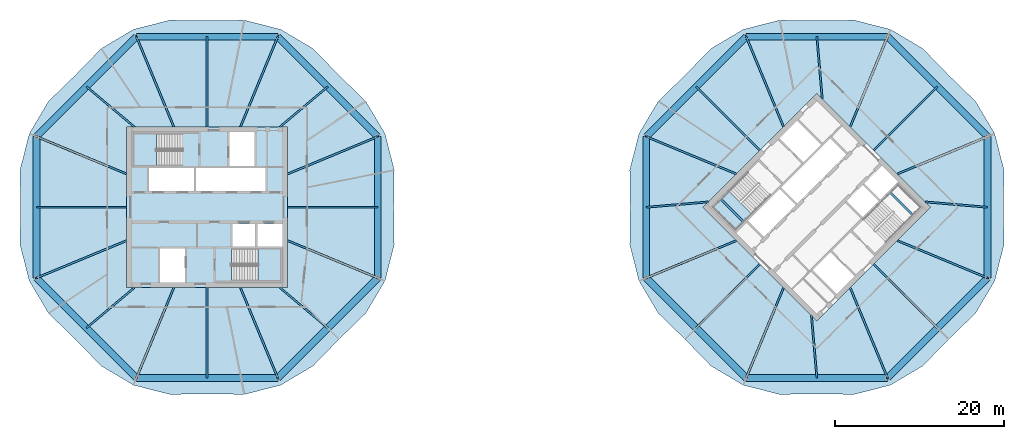
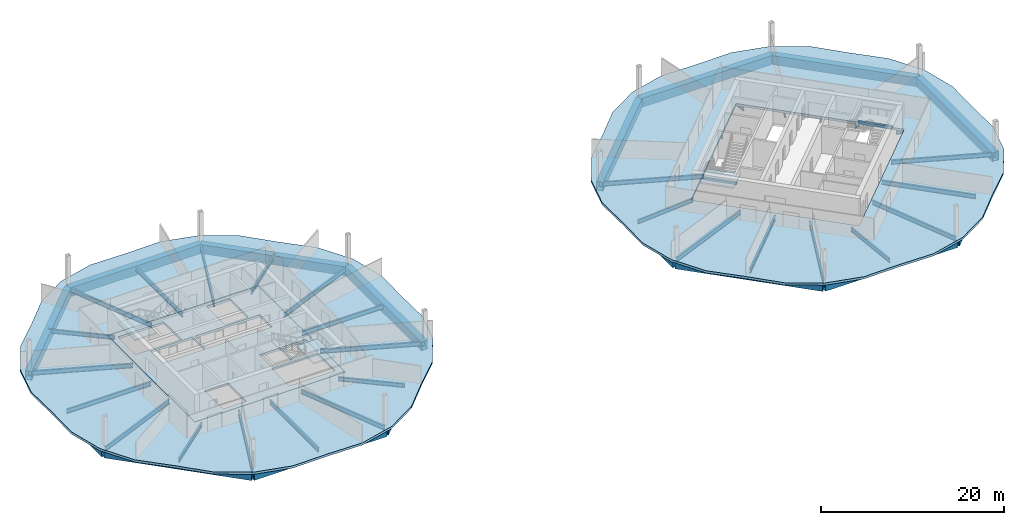
# One storey, part 3 of 10: 50 beams, 6 slabs, 3 elements without a shape of their own.
"""IFC4 building model written with IfcOpenShell, lengths in metres."""

import ifcopenshell
import ifcopenshell.guid

model = None  # the IFC model being written
_history = None  # IfcOwnerHistory: only IFC2X3 demands one
_inside = {}  # id of a spatial element -> (the spatial element, [elements in it])
_under = {}  # id of a project, library or spatial element -> (it, [spatial elements below it])
_declared = {}  # id of a project -> (the project, [libraries it declares])
_typed = {}  # id of a type object -> (the type object, [elements of that type])
_made_of = {}  # id of a material, layer set ... -> (it, [elements and type objects made of it])


def new_model(schema):
    """Start an empty IFC model of exactly this schema.

    Asked for "IFC4X3", IfcOpenShell would pick the latest addendum, in which some entities
    have other attributes; the version numbers below select the first issue.
    IFC2X3 requires an IfcOwnerHistory on every rooted entity: one is made here for all.
    """
    global model, _history
    if schema == "IFC4X3":
        model = ifcopenshell.file(schema_version=(4, 3, 0, 0))
    else:
        model = ifcopenshell.file(schema=schema)
    _inside.clear()
    _under.clear()
    _declared.clear()
    _typed.clear()
    _made_of.clear()
    _history = None
    if model.schema == "IFC2X3":
        org = make("IfcOrganization", Name="unknown")
        user = make(
            "IfcPersonAndOrganization",
            ThePerson=make("IfcPerson", FamilyName="unknown"),
            TheOrganization=org,
        )
        app = make(
            "IfcApplication",
            ApplicationDeveloper=org,
            Version="unknown",
            ApplicationFullName="unknown",
            ApplicationIdentifier="unknown",
        )
        _history = make(
            "IfcOwnerHistory",
            OwningUser=user,
            OwningApplication=app,
            ChangeAction="ADDED",
            CreationDate=0,
        )
    return model


def make(cls, **values):
    """One entity of the class cls with the attributes given. An attribute that is None is left unset."""
    return model.create_entity(
        cls, **{name: value for name, value in values.items() if value is not None}
    )


def rooted(cls, **values):
    """An entity with a GlobalId (a new one), such as an element, a storey or a relation."""
    return make(cls, GlobalId=ifcopenshell.guid.new(), OwnerHistory=_history, **values)


def si_unit(unit_type, name, prefix=None):
    """IfcSIUnit, for example si_unit("LENGTHUNIT", "METRE", prefix="MILLI")."""
    return make("IfcSIUnit", UnitType=unit_type, Prefix=prefix, Name=name)


def assignment(units):
    """IfcUnitAssignment: the units of a project."""
    return None if units is None else make("IfcUnitAssignment", Units=units)


def point(xyz):
    """IfcCartesianPoint."""
    return None if xyz is None else make("IfcCartesianPoint", Coordinates=xyz)


def direction(xyz):
    """IfcDirection."""
    return None if xyz is None else make("IfcDirection", DirectionRatios=xyz)


def frame(location, z_axis=None, x_axis=None):
    """IfcAxis2Placement3D, a coordinate frame: its origin and axes. An axis left out is left unset."""
    return make(
        "IfcAxis2Placement3D",
        Location=point(location),
        Axis=direction(z_axis),
        RefDirection=direction(x_axis),
    )


def frame_2d(location, x_axis=None):
    """IfcAxis2Placement2D, a coordinate frame in the plane: its origin and x axis."""
    return make(
        "IfcAxis2Placement2D", Location=point(location), RefDirection=direction(x_axis)
    )


def origin():
    """The frame at (0, 0, 0) with its axes left unset."""
    return frame((0.0, 0.0, 0.0))


def origin_2d():
    """The frame at (0, 0) in the plane with its x axis left unset."""
    return frame_2d((0.0, 0.0))


def place(relative_to, where):
    """IfcLocalPlacement: puts the frame where relative to a parent placement (None: the world)."""
    return make(
        "IfcLocalPlacement", PlacementRelTo=relative_to, RelativePlacement=where
    )


def context(
    kind, dimensions, precision=None, world=None, true_north=None, identifier=None
):
    """IfcGeometricRepresentationContext, for example the 3D "Model" context."""
    return make(
        "IfcGeometricRepresentationContext",
        ContextIdentifier=identifier,
        ContextType=kind,
        CoordinateSpaceDimension=dimensions,
        Precision=precision,
        WorldCoordinateSystem=world,
        TrueNorth=true_north,
    )


def subcontext(parent, identifier, kind, view, scale=None):
    """IfcGeometricRepresentationSubContext, for example "Body" below "Model"."""
    return make(
        "IfcGeometricRepresentationSubContext",
        ContextIdentifier=identifier,
        ContextType=kind,
        ParentContext=parent,
        TargetScale=scale,
        TargetView=view,
    )


def project(units=None, contexts=None):
    """IfcProject with its units and contexts."""
    return rooted(
        "IfcProject",
        Name="project",
        RepresentationContexts=contexts,
        UnitsInContext=assignment(units),
    )


def spatial(cls, under=None, at=None, **own):
    """A site, building, storey or space (cls), placed at a placement, below another one or the project."""
    s = rooted(cls, ObjectPlacement=at, **own)
    if under is not None:
        _under.setdefault(under.id(), (under, []))[1].append(s)
    return s


def polyline(points):
    """IfcPolyline through the points."""
    return make("IfcPolyline", Points=[point(p) for p in points])


def profile(cls, at=None, kind="AREA", **sizes):
    """A parametric profile (cls). Its sizes go by their IFC names, for example OverallWidth=200.0."""
    return make(cls, ProfileType=kind, Position=at, **sizes)


def rectangle(**sizes):
    """IfcRectangleProfileDef."""
    return profile("IfcRectangleProfileDef", **sizes)


def hollow_rectangle(**sizes):
    """IfcRectangleHollowProfileDef."""
    return profile("IfcRectangleHollowProfileDef", **sizes)


def i_section(**sizes):
    """IfcIShapeProfileDef."""
    return profile("IfcIShapeProfileDef", **sizes)


def outline(outer, holes=None, kind="AREA"):
    """IfcArbitraryClosedProfileDef: a profile drawn as a closed curve; with holes, ...WithVoids."""
    if holes is None:
        return make("IfcArbitraryClosedProfileDef", ProfileType=kind, OuterCurve=outer)
    return make(
        "IfcArbitraryProfileDefWithVoids",
        ProfileType=kind,
        OuterCurve=outer,
        InnerCurves=holes,
    )


def extrude(swept, where, along, depth):
    """IfcExtrudedAreaSolid: the profile swept, set in the frame where, extruded along a direction by depth."""
    return make(
        "IfcExtrudedAreaSolid",
        SweptArea=swept,
        Position=where,
        ExtrudedDirection=direction(along),
        Depth=depth,
    )


def shape(context_of_items, identifier, shape_type, items):
    """IfcShapeRepresentation: the items that make up one representation, for example the "Body"."""
    return make(
        "IfcShapeRepresentation",
        ContextOfItems=context_of_items,
        RepresentationIdentifier=identifier,
        RepresentationType=shape_type,
        Items=items,
    )


def material(Name=None, Category=None):
    """IfcMaterial."""
    return make("IfcMaterial", Name=Name, Category=Category)


def layer(
    of_material, thickness, ventilated=None, Name=None, Category=None, Priority=None
):
    """IfcMaterialLayer: one layer of a wall or slab, of a material (None: an air gap)."""
    return make(
        "IfcMaterialLayer",
        Material=of_material,
        LayerThickness=thickness,
        IsVentilated=ventilated,
        Name=Name,
        Category=Category,
        Priority=Priority,
    )


def layer_set(layers, Name=None):
    """IfcMaterialLayerSet."""
    return make("IfcMaterialLayerSet", MaterialLayers=layers, LayerSetName=Name)


def material_profile(
    of_material, cross_section, Name=None, Category=None, Priority=None
):
    """IfcMaterialProfile: a cross section and its material."""
    return make(
        "IfcMaterialProfile",
        Name=Name,
        Material=of_material,
        Profile=cross_section,
        Priority=Priority,
        Category=Category,
    )


def profile_set(profiles, Name=None, composite=None):
    """IfcMaterialProfileSet."""
    return make(
        "IfcMaterialProfileSet",
        Name=Name,
        MaterialProfiles=profiles,
        CompositeProfile=composite,
    )


def made_of(thing, what):
    """Note that an element or type object is made of a material, layer set ...; save() writes the relation."""
    if what is not None:
        _made_of.setdefault(what.id(), (what, []))[1].append(thing)
    return thing


def type_object(cls, material=None, **own):
    """A type object (cls), such as IfcWallType, which elements share."""
    return made_of(rooted(cls, **own), material)


def element(
    cls,
    number,
    at=None,
    inside=None,
    cuts=None,
    type_object=None,
    material=None,
    context=None,
    identifier="Body",
    shape_type=None,
    held_by="IfcProductDefinitionShape",
    body=None,
    shapes=None,
    **own,
):
    """One element of the class cls, such as IfcWall. Its Tag is "e" and its number.

    at: its placement. inside: the storey or other place that contains it. cuts: it is an
    opening in that element (IfcRelVoidsElement). A single representation is given by context,
    identifier, shape_type and body (its items); several are given by shapes. held_by: the class
    of the entity that holds the representations. save() writes the other relations.
    """
    e = rooted(cls, Tag="e%d" % number, ObjectPlacement=at, **own)
    if body is not None:
        shapes = [shape(context, identifier, shape_type, body)]
    if shapes is not None:
        e.Representation = make(held_by, Representations=shapes)
    if inside is not None:
        _inside.setdefault(inside.id(), (inside, []))[1].append(e)
    if cuts is not None:
        rooted(
            "IfcRelVoidsElement", RelatingBuildingElement=cuts, RelatedOpeningElement=e
        )
    if type_object is not None:
        _typed.setdefault(type_object.id(), (type_object, []))[1].append(e)
    return made_of(e, material)


def aggregate(whole, parts):
    """IfcRelAggregates: a whole, such as a stair, and the parts it consists of."""
    return rooted("IfcRelAggregates", RelatingObject=whole, RelatedObjects=parts)


def save(model, path):
    """Write the relations noted so far, then the file.

    IfcRelAggregates (storeys below a building ...), IfcRelContainedInSpatialStructure (elements
    in a storey), IfcRelDefinesByType, IfcRelAssociatesMaterial and IfcRelDeclares: one each for
    every whole, place, type object, material and project.
    """
    for whole, parts in _under.values():
        aggregate(whole, parts)
    for where, things in _inside.values():
        rooted(
            "IfcRelContainedInSpatialStructure",
            RelatedElements=things,
            RelatingStructure=where,
        )
    for kind, things in _typed.values():
        rooted("IfcRelDefinesByType", RelatedObjects=things, RelatingType=kind)
    for what, things in _made_of.values():
        rooted("IfcRelAssociatesMaterial", RelatedObjects=things, RelatingMaterial=what)
    for by, libraries in _declared.values():
        rooted("IfcRelDeclares", RelatingContext=by, RelatedDefinitions=libraries)
    model.write(path)


model = new_model("IFC4")

# Units and contexts
model_context = context("Model", 3, precision=1e-05, world=origin(), true_north=direction((0.0, 1.0)))
body_context = subcontext(model_context, "Body", "Model", "MODEL_VIEW")
ifc_project = project(units=[si_unit("LENGTHUNIT", "METRE"), si_unit("AREAUNIT", "SQUARE_METRE"), si_unit("VOLUMEUNIT", "CUBIC_METRE"), si_unit("PLANEANGLEUNIT", "RADIAN"), si_unit("MASSUNIT", "GRAM", prefix="KILO")], contexts=[model_context])

# Site, building, storey
site_placement = place(None, origin())
site = spatial("IfcSite", under=ifc_project, at=site_placement, CompositionType="ELEMENT")
building_placement = place(site_placement, origin())
building = spatial("IfcBuilding", under=site, at=building_placement, Name="Ogive Gate Towers", CompositionType="ELEMENT")
storey_placement = place(building_placement, frame((0.0, 0.0, 169.5)))
storey = spatial("IfcBuildingStorey", under=building, at=storey_placement, Name="L40", CompositionType="ELEMENT", Elevation=169.5)

# Beams
ifc_material_1 = material(Name="Steel SM460", Category="steel")
ifc_material_profile_1 = material_profile(ifc_material_1, hollow_rectangle(XDim=0.800048828125, YDim=1.199951171875, WallThickness=0.050048828125, at=origin_2d()), Name="BX 1200x800x50")
ifc_profile_set_1 = profile_set([ifc_material_profile_1], Name="Steel SM460")
beam_type_1 = type_object("IfcBeamType", Name="Edge girder BX 1200x800x50", PredefinedType="BEAM", material=ifc_profile_set_1)
beam_1_placement = place(storey_placement, frame((-56.14990234375, -8.346435546875, -0.89990234375), z_axis=(0.707106781187, -0.707106781187, 0.0), x_axis=(0.707106781187, 0.707106781187, 0.0)))
element("IfcBeam", 1, at=beam_1_placement, inside=storey, type_object=beam_type_1, Name="T1/L40/SBM017", PredefinedType="BEAM", context=body_context, shape_type="SweptSolid", body=[
    extrude(hollow_rectangle(XDim=0.800048828125, YDim=1.199951171875, WallThickness=0.050048828125, at=origin_2d()), origin(), (0.0, 0.0, 1.0), 16.692626953125),
])
beam_2_placement = place(storey_placement, frame((-44.346435546875, -20.14990234375, -0.89990234375), z_axis=(1.0, 0.0, 0.0), x_axis=(0.0, 1.0, 0.0)))
element("IfcBeam", 2, at=beam_2_placement, inside=storey, type_object=beam_type_1, Name="T1/L40/SBM018", PredefinedType="BEAM", context=body_context, shape_type="SweptSolid", body=[
    extrude(hollow_rectangle(XDim=0.800048828125, YDim=1.199951171875, WallThickness=0.050048828125, at=origin_2d()), origin(), (0.0, 0.0, 1.0), 16.69287109375),
])
beam_3_placement = place(storey_placement, frame((-27.653564453125, -20.14990234375, -0.89990234375), z_axis=(0.707106781187, 0.707106781187, 0.0), x_axis=(-0.707106781187, 0.707106781187, 0.0)))
element("IfcBeam", 3, at=beam_3_placement, inside=storey, type_object=beam_type_1, Name="T1/L40/SBM019", PredefinedType="BEAM", context=body_context, shape_type="SweptSolid", body=[
    extrude(hollow_rectangle(XDim=0.800048828125, YDim=1.199951171875, WallThickness=0.050048828125, at=origin_2d()), origin(), (0.0, 0.0, 1.0), 16.692626953125),
])
beam_4_placement = place(storey_placement, frame((-15.85009765625, -8.346435546875, -0.89990234375), z_axis=(0.0, 1.0, 0.0), x_axis=(-1.0, 0.0, 0.0)))
element("IfcBeam", 4, at=beam_4_placement, inside=storey, type_object=beam_type_1, Name="T1/L40/SBM020", PredefinedType="BEAM", context=body_context, shape_type="SweptSolid", body=[
    extrude(hollow_rectangle(XDim=0.800048828125, YDim=1.199951171875, WallThickness=0.050048828125, at=origin_2d()), origin(), (0.0, 0.0, 1.0), 16.69287109375),
])
beam_5_placement = place(storey_placement, frame((-15.85009765625, 8.346435546875, -0.89990234375), z_axis=(-0.707106781187, 0.707106781187, 0.0), x_axis=(-0.707106781187, -0.707106781187, 0.0)))
element("IfcBeam", 5, at=beam_5_placement, inside=storey, type_object=beam_type_1, Name="T1/L40/SBM021", PredefinedType="BEAM", context=body_context, shape_type="SweptSolid", body=[
    extrude(hollow_rectangle(XDim=0.800048828125, YDim=1.199951171875, WallThickness=0.050048828125, at=origin_2d()), origin(), (0.0, 0.0, 1.0), 16.692626953125),
])
beam_6_placement = place(storey_placement, frame((-27.653564453125, 20.14990234375, -0.89990234375), z_axis=(-1.0, 0.0, 0.0), x_axis=(0.0, -1.0, 0.0)))
element("IfcBeam", 6, at=beam_6_placement, inside=storey, type_object=beam_type_1, Name="T1/L40/SBM022", PredefinedType="BEAM", context=body_context, shape_type="SweptSolid", body=[
    extrude(hollow_rectangle(XDim=0.800048828125, YDim=1.199951171875, WallThickness=0.050048828125, at=origin_2d()), origin(), (0.0, 0.0, 1.0), 16.69287109375),
])
beam_7_placement = place(storey_placement, frame((-44.346435546875, 20.14990234375, -0.89990234375), z_axis=(-0.707106781187, -0.707106781187, 0.0), x_axis=(0.707106781187, -0.707106781187, 0.0)))
element("IfcBeam", 7, at=beam_7_placement, inside=storey, type_object=beam_type_1, Name="T1/L40/SBM023", PredefinedType="BEAM", context=body_context, shape_type="SweptSolid", body=[
    extrude(hollow_rectangle(XDim=0.800048828125, YDim=1.199951171875, WallThickness=0.050048828125, at=origin_2d()), origin(), (0.0, 0.0, 1.0), 16.692626953125),
])
beam_8_placement = place(storey_placement, frame((-56.14990234375, 8.346435546875, -0.89990234375), z_axis=(0.0, -1.0, 0.0), x_axis=(1.0, 0.0, 0.0)))
element("IfcBeam", 8, at=beam_8_placement, inside=storey, type_object=beam_type_1, Name="T1/L40/SBM024", PredefinedType="BEAM", context=body_context, shape_type="SweptSolid", body=[
    extrude(hollow_rectangle(XDim=0.800048828125, YDim=1.199951171875, WallThickness=0.050048828125, at=origin_2d()), origin(), (0.0, 0.0, 1.0), 16.69287109375),
])
beam_9_placement = place(storey_placement, frame((15.85009765625, -8.346435546875, -0.89990234375), z_axis=(0.707106781187, -0.707106781187, 0.0), x_axis=(0.707106781187, 0.707106781187, 0.0)))
element("IfcBeam", 9, at=beam_9_placement, inside=storey, type_object=beam_type_1, Name="T2/L40/SBM017", PredefinedType="BEAM", context=body_context, shape_type="SweptSolid", body=[
    extrude(hollow_rectangle(XDim=0.800048828125, YDim=1.199951171875, WallThickness=0.050048828125, at=origin_2d()), origin(), (0.0, 0.0, 1.0), 16.692626953125),
])
beam_10_placement = place(storey_placement, frame((27.653564453125, -20.14990234375, -0.89990234375), z_axis=(1.0, 0.0, 0.0), x_axis=(0.0, 1.0, 0.0)))
element("IfcBeam", 10, at=beam_10_placement, inside=storey, type_object=beam_type_1, Name="T2/L40/SBM018", PredefinedType="BEAM", context=body_context, shape_type="SweptSolid", body=[
    extrude(hollow_rectangle(XDim=0.800048828125, YDim=1.199951171875, WallThickness=0.050048828125, at=origin_2d()), origin(), (0.0, 0.0, 1.0), 16.69287109375),
])
beam_11_placement = place(storey_placement, frame((44.346435546875, -20.14990234375, -0.89990234375), z_axis=(0.707106781187, 0.707106781187, 0.0), x_axis=(-0.707106781187, 0.707106781187, 0.0)))
element("IfcBeam", 11, at=beam_11_placement, inside=storey, type_object=beam_type_1, Name="T2/L40/SBM019", PredefinedType="BEAM", context=body_context, shape_type="SweptSolid", body=[
    extrude(hollow_rectangle(XDim=0.800048828125, YDim=1.199951171875, WallThickness=0.050048828125, at=origin_2d()), origin(), (0.0, 0.0, 1.0), 16.692626953125),
])
beam_12_placement = place(storey_placement, frame((56.14990234375, -8.346435546875, -0.89990234375), z_axis=(0.0, 1.0, 0.0), x_axis=(-1.0, 0.0, 0.0)))
element("IfcBeam", 12, at=beam_12_placement, inside=storey, type_object=beam_type_1, Name="T2/L40/SBM020", PredefinedType="BEAM", context=body_context, shape_type="SweptSolid", body=[
    extrude(hollow_rectangle(XDim=0.800048828125, YDim=1.199951171875, WallThickness=0.050048828125, at=origin_2d()), origin(), (0.0, 0.0, 1.0), 16.69287109375),
])
beam_13_placement = place(storey_placement, frame((56.14990234375, 8.346435546875, -0.89990234375), z_axis=(-0.707106781187, 0.707106781187, 0.0), x_axis=(-0.707106781187, -0.707106781187, 0.0)))
element("IfcBeam", 13, at=beam_13_placement, inside=storey, type_object=beam_type_1, Name="T2/L40/SBM021", PredefinedType="BEAM", context=body_context, shape_type="SweptSolid", body=[
    extrude(hollow_rectangle(XDim=0.800048828125, YDim=1.199951171875, WallThickness=0.050048828125, at=origin_2d()), origin(), (0.0, 0.0, 1.0), 16.692626953125),
])
beam_14_placement = place(storey_placement, frame((44.346435546875, 20.14990234375, -0.89990234375), z_axis=(-1.0, 0.0, 0.0), x_axis=(0.0, -1.0, 0.0)))
element("IfcBeam", 14, at=beam_14_placement, inside=storey, type_object=beam_type_1, Name="T2/L40/SBM022", PredefinedType="BEAM", context=body_context, shape_type="SweptSolid", body=[
    extrude(hollow_rectangle(XDim=0.800048828125, YDim=1.199951171875, WallThickness=0.050048828125, at=origin_2d()), origin(), (0.0, 0.0, 1.0), 16.69287109375),
])
beam_15_placement = place(storey_placement, frame((27.653564453125, 20.14990234375, -0.89990234375), z_axis=(-0.707106781187, -0.707106781187, 0.0), x_axis=(0.707106781187, -0.707106781187, 0.0)))
element("IfcBeam", 15, at=beam_15_placement, inside=storey, type_object=beam_type_1, Name="T2/L40/SBM023", PredefinedType="BEAM", context=body_context, shape_type="SweptSolid", body=[
    extrude(hollow_rectangle(XDim=0.800048828125, YDim=1.199951171875, WallThickness=0.050048828125, at=origin_2d()), origin(), (0.0, 0.0, 1.0), 16.692626953125),
])
beam_16_placement = place(storey_placement, frame((15.85009765625, 8.346435546875, -0.89990234375), z_axis=(0.0, -1.0, 0.0), x_axis=(1.0, 0.0, 0.0)))
element("IfcBeam", 16, at=beam_16_placement, inside=storey, type_object=beam_type_1, Name="T2/L40/SBM024", PredefinedType="BEAM", context=body_context, shape_type="SweptSolid", body=[
    extrude(hollow_rectangle(XDim=0.800048828125, YDim=1.199951171875, WallThickness=0.050048828125, at=origin_2d()), origin(), (0.0, 0.0, 1.0), 16.69287109375),
])
ifc_material_2 = material(Name="Concrete C40/50", Category="concrete")
ifc_material_profile_2 = material_profile(ifc_material_2, rectangle(XDim=0.25, YDim=0.300048828125, at=origin_2d()), Name="RC 250x300")
ifc_profile_set_2 = profile_set([ifc_material_profile_2], Name="Concrete C40/50")
beam_type_2 = type_object("IfcBeamType", Name="Landing bearer RC 250x300", PredefinedType="BEAM", material=ifc_profile_set_2)
for number, where, z_axis, x_axis, name in (
    (17, (24.650390625, 0.9541015625, 1.60009765625), (0.707106781187, -0.707106781187, 0.0), (0.707106781187, 0.707106781187, 0.0), "T2 L40 stair 1 landing bearer 1"),
    (18, (47.349609375, -0.9541015625, 1.60009765625), (-0.707106781187, 0.707106781187, 0.0), (-0.707106781187, -0.707106781187, 0.0), "T2 L40 stair 2 landing bearer 1"),
):
    element("IfcBeam", number, at=place(storey_placement, frame(where, z_axis=z_axis, x_axis=x_axis)), inside=storey, type_object=beam_type_2, Name=name, PredefinedType="BEAM", context=body_context, shape_type="SweptSolid", body=[
        extrude(rectangle(XDim=0.25, YDim=0.300048828125, at=origin_2d()), origin(), (0.0, 0.0, 1.0), 3.824951171875),
    ])
ifc_material_3 = material(Name="Steel SM355", Category="steel")
ifc_material_profile_3 = material_profile(ifc_material_3, i_section(OverallWidth=0.2099609375, OverallDepth=0.550048828125, WebThickness=0.010986328125, FlangeThickness=0.01708984375, FilletRadius=0.02392578125, at=origin_2d()), Name="IPE 550")
ifc_profile_set_3 = profile_set([ifc_material_profile_3], Name="Steel SM355")
beam_type_3 = type_object("IfcBeamType", Name="Radial floor beam IPE 550", PredefinedType="BEAM", material=ifc_profile_set_3)
for number, where, z_axis, x_axis, name in (
    (19, (-44.60009765625, -9.5, -0.574951171875), (-0.76545320234, -0.643491565622, 0.0), (0.643491565622, -0.76545320234, 0.0), "T1/L40/SBM002"),
    (20, (-27.39990234375, -9.5, -0.574951171875), (0.76545320234, -0.643491565622, 0.0), (0.643491565622, 0.76545320234, 0.0), "T1/L40/SBM006"),
    (21, (-27.39990234375, 9.5, -0.574951171875), (0.76545320234, 0.643491565622, 0.0), (-0.643491565622, 0.76545320234, 0.0), "T1/L40/SBM010"),
    (22, (-44.60009765625, 9.5, -0.574951171875), (-0.76545320234, 0.643491565622, 0.0), (-0.643491565622, -0.76545320234, 0.0), "T1/L40/SBM014"),
):
    element("IfcBeam", number, at=place(storey_placement, frame(where, z_axis=z_axis, x_axis=x_axis)), inside=storey, type_object=beam_type_3, Name=name, PredefinedType="BEAM", context=body_context, shape_type="SweptSolid", body=[
        extrude(i_section(OverallWidth=0.2099609375, OverallDepth=0.550048828125, WebThickness=0.010986328125, FlangeThickness=0.01708984375, FilletRadius=0.02392578125, at=origin_2d()), origin(), (0.0, 0.0, 1.0), 7.378662109375),
    ])
for number, where, z_axis, x_axis, name in (
    (23, (35.363525390625, -12.798583984375, -0.574951171875), (0.086256966176, -0.996272922339, 0.0), (0.996272922339, 0.086256966176, 0.0), "T2/L40/SBM004"),
    (24, (48.798583984375, 0.636474609375, -0.574951171875), (0.996272922339, -0.086256966176, 0.0), (0.086256966176, 0.996272922339, 0.0), "T2/L40/SBM008"),
    (25, (36.636474609375, 12.798583984375, -0.574951171875), (-0.086256966176, 0.996272922339, 0.0), (-0.996272922339, -0.086256966176, 0.0), "T2/L40/SBM012"),
    (26, (23.201416015625, 0.636474609375, -0.574951171875), (-0.996272922339, -0.086256966176, 0.0), (0.086256966176, -0.996272922339, 0.0), "T2/L40/SBM016"),
):
    element("IfcBeam", number, at=place(storey_placement, frame(where, z_axis=z_axis, x_axis=x_axis)), inside=storey, type_object=beam_type_3, Name=name, PredefinedType="BEAM", context=body_context, shape_type="SweptSolid", body=[
        extrude(i_section(OverallWidth=0.2099609375, OverallDepth=0.550048828125, WebThickness=0.010986328125, FlangeThickness=0.01708984375, FilletRadius=0.02392578125, at=origin_2d()), origin(), (0.0, 0.0, 1.0), 7.37890625),
    ])
ifc_material_profile_4 = material_profile(ifc_material_3, i_section(OverallWidth=0.219970703125, OverallDepth=0.60009765625, WebThickness=0.011962890625, FlangeThickness=0.01904296875, FilletRadius=0.02392578125, at=origin_2d()), Name="IPE 600")
ifc_profile_set_4 = profile_set([ifc_material_profile_4], Name="Steel SM355")
beam_type_4 = type_object("IfcBeamType", Name="Radial floor beam IPE 600", PredefinedType="BEAM", material=ifc_profile_set_4)
for number, where, z_axis, x_axis, name in (
    (27, (-45.5, -3.93505859375, -0.60009765625), (-0.923878214756, -0.382686613691, 0.0), (0.382686613691, -0.923878214756, 0.0), "T1/L40/SBM001"),
    (28, (-39.93505859375, -9.5, -0.60009765625), (-0.382686613691, -0.923878214756, 0.0), (0.923878214756, -0.382686613691, 0.0), "T1/L40/SBM003"),
):
    element("IfcBeam", number, at=place(storey_placement, frame(where, z_axis=z_axis, x_axis=x_axis)), inside=storey, type_object=beam_type_4, Name=name, PredefinedType="BEAM", context=body_context, shape_type="SweptSolid", body=[
        extrude(i_section(OverallWidth=0.219970703125, OverallDepth=0.60009765625, WebThickness=0.011962890625, FlangeThickness=0.01904296875, FilletRadius=0.02392578125, at=origin_2d()), origin(), (0.0, 0.0, 1.0), 11.52734375),
    ])
beam_17_placement = place(storey_placement, frame((-36.0, -9.5, -0.60009765625), z_axis=(0.0, -1.0, 0.0), x_axis=(1.0, 0.0, 0.0)))
element("IfcBeam", 29, at=beam_17_placement, inside=storey, type_object=beam_type_4, Name="T1/L40/SBM004", PredefinedType="BEAM", context=body_context, shape_type="SweptSolid", body=[
    extrude(i_section(OverallWidth=0.219970703125, OverallDepth=0.60009765625, WebThickness=0.011962890625, FlangeThickness=0.01904296875, FilletRadius=0.02392578125, at=origin_2d()), origin(), (0.0, 0.0, 1.0), 10.64990234375),
])
for number, where, z_axis, x_axis, name in (
    (30, (-32.06494140625, -9.5, -0.60009765625), (0.382686613691, -0.923878214756, 0.0), (0.923878214756, 0.382686613691, 0.0), "T1/L40/SBM005"),
    (31, (-26.5, -3.93505859375, -0.60009765625), (0.923878214756, -0.382686613691, 0.0), (0.382686613691, 0.923878214756, 0.0), "T1/L40/SBM007"),
):
    element("IfcBeam", number, at=place(storey_placement, frame(where, z_axis=z_axis, x_axis=x_axis)), inside=storey, type_object=beam_type_4, Name=name, PredefinedType="BEAM", context=body_context, shape_type="SweptSolid", body=[
        extrude(i_section(OverallWidth=0.219970703125, OverallDepth=0.60009765625, WebThickness=0.011962890625, FlangeThickness=0.01904296875, FilletRadius=0.02392578125, at=origin_2d()), origin(), (0.0, 0.0, 1.0), 11.52734375),
    ])
beam_18_placement = place(storey_placement, frame((-26.5, 0.0, -0.60009765625), z_axis=(1.0, 0.0, 0.0), x_axis=(0.0, 1.0, 0.0)))
element("IfcBeam", 32, at=beam_18_placement, inside=storey, type_object=beam_type_4, Name="T1/L40/SBM008", PredefinedType="BEAM", context=body_context, shape_type="SweptSolid", body=[
    extrude(i_section(OverallWidth=0.219970703125, OverallDepth=0.60009765625, WebThickness=0.011962890625, FlangeThickness=0.01904296875, FilletRadius=0.02392578125, at=origin_2d()), origin(), (0.0, 0.0, 1.0), 10.64990234375),
])
for number, where, z_axis, x_axis, name in (
    (33, (-26.5, 3.93505859375, -0.60009765625), (0.923878214756, 0.382686613691, 0.0), (-0.382686613691, 0.923878214756, 0.0), "T1/L40/SBM009"),
    (34, (-32.06494140625, 9.5, -0.60009765625), (0.382686613691, 0.923878214756, 0.0), (-0.923878214756, 0.382686613691, 0.0), "T1/L40/SBM011"),
):
    element("IfcBeam", number, at=place(storey_placement, frame(where, z_axis=z_axis, x_axis=x_axis)), inside=storey, type_object=beam_type_4, Name=name, PredefinedType="BEAM", context=body_context, shape_type="SweptSolid", body=[
        extrude(i_section(OverallWidth=0.219970703125, OverallDepth=0.60009765625, WebThickness=0.011962890625, FlangeThickness=0.01904296875, FilletRadius=0.02392578125, at=origin_2d()), origin(), (0.0, 0.0, 1.0), 11.52734375),
    ])
beam_19_placement = place(storey_placement, frame((-36.0, 9.5, -0.60009765625), z_axis=(0.0, 1.0, 0.0), x_axis=(-1.0, 0.0, 0.0)))
element("IfcBeam", 35, at=beam_19_placement, inside=storey, type_object=beam_type_4, Name="T1/L40/SBM012", PredefinedType="BEAM", context=body_context, shape_type="SweptSolid", body=[
    extrude(i_section(OverallWidth=0.219970703125, OverallDepth=0.60009765625, WebThickness=0.011962890625, FlangeThickness=0.01904296875, FilletRadius=0.02392578125, at=origin_2d()), origin(), (0.0, 0.0, 1.0), 10.64990234375),
])
for number, where, z_axis, x_axis, name in (
    (36, (-39.93505859375, 9.5, -0.60009765625), (-0.382686613691, 0.923878214756, 0.0), (-0.923878214756, -0.382686613691, 0.0), "T1/L40/SBM013"),
    (37, (-45.5, 3.93505859375, -0.60009765625), (-0.923878214756, 0.382686613691, 0.0), (-0.382686613691, -0.923878214756, 0.0), "T1/L40/SBM015"),
):
    element("IfcBeam", number, at=place(storey_placement, frame(where, z_axis=z_axis, x_axis=x_axis)), inside=storey, type_object=beam_type_4, Name=name, PredefinedType="BEAM", context=body_context, shape_type="SweptSolid", body=[
        extrude(i_section(OverallWidth=0.219970703125, OverallDepth=0.60009765625, WebThickness=0.011962890625, FlangeThickness=0.01904296875, FilletRadius=0.02392578125, at=origin_2d()), origin(), (0.0, 0.0, 1.0), 11.52734375),
    ])
beam_20_placement = place(storey_placement, frame((-45.5, 0.0, -0.60009765625), z_axis=(-1.0, 0.0, 0.0), x_axis=(0.0, -1.0, 0.0)))
element("IfcBeam", 38, at=beam_20_placement, inside=storey, type_object=beam_type_4, Name="T1/L40/SBM016", PredefinedType="BEAM", context=body_context, shape_type="SweptSolid", body=[
    extrude(i_section(OverallWidth=0.219970703125, OverallDepth=0.60009765625, WebThickness=0.011962890625, FlangeThickness=0.01904296875, FilletRadius=0.02392578125, at=origin_2d()), origin(), (0.0, 0.0, 1.0), 10.64990234375),
])
beam_21_placement = place(storey_placement, frame((26.5, -3.93505859375, -0.60009765625), z_axis=(-0.923878214756, -0.382686613691, 0.0), x_axis=(0.382686613691, -0.923878214756, 0.0)))
element("IfcBeam", 39, at=beam_21_placement, inside=storey, type_object=beam_type_4, Name="T2/L40/SBM001", PredefinedType="BEAM", context=body_context, shape_type="SweptSolid", body=[
    extrude(i_section(OverallWidth=0.219970703125, OverallDepth=0.60009765625, WebThickness=0.011962890625, FlangeThickness=0.01904296875, FilletRadius=0.02392578125, at=origin_2d()), origin(), (0.0, 0.0, 1.0), 11.52734375),
])
beam_22_placement = place(storey_placement, frame((29.282470703125, -6.717529296875, -0.60009765625), z_axis=(-0.707106781187, -0.707106781187, 0.0), x_axis=(0.707106781187, -0.707106781187, 0.0)))
element("IfcBeam", 40, at=beam_22_placement, inside=storey, type_object=beam_type_4, Name="T2/L40/SBM002", PredefinedType="BEAM", context=body_context, shape_type="SweptSolid", body=[
    extrude(i_section(OverallWidth=0.219970703125, OverallDepth=0.60009765625, WebThickness=0.011962890625, FlangeThickness=0.01904296875, FilletRadius=0.02392578125, at=origin_2d()), origin(), (0.0, 0.0, 1.0), 10.649658203125),
])
for number, where, z_axis, x_axis, name in (
    (41, (32.06494140625, -9.5, -0.60009765625), (-0.382686613691, -0.923878214756, 0.0), (0.923878214756, -0.382686613691, 0.0), "T2/L40/SBM003"),
    (42, (39.93505859375, -9.5, -0.60009765625), (0.382686613691, -0.923878214756, 0.0), (0.923878214756, 0.382686613691, 0.0), "T2/L40/SBM005"),
):
    element("IfcBeam", number, at=place(storey_placement, frame(where, z_axis=z_axis, x_axis=x_axis)), inside=storey, type_object=beam_type_4, Name=name, PredefinedType="BEAM", context=body_context, shape_type="SweptSolid", body=[
        extrude(i_section(OverallWidth=0.219970703125, OverallDepth=0.60009765625, WebThickness=0.011962890625, FlangeThickness=0.01904296875, FilletRadius=0.02392578125, at=origin_2d()), origin(), (0.0, 0.0, 1.0), 11.52734375),
    ])
beam_23_placement = place(storey_placement, frame((42.717529296875, -6.717529296875, -0.60009765625), z_axis=(0.707106781187, -0.707106781187, 0.0), x_axis=(0.707106781187, 0.707106781187, 0.0)))
element("IfcBeam", 43, at=beam_23_placement, inside=storey, type_object=beam_type_4, Name="T2/L40/SBM006", PredefinedType="BEAM", context=body_context, shape_type="SweptSolid", body=[
    extrude(i_section(OverallWidth=0.219970703125, OverallDepth=0.60009765625, WebThickness=0.011962890625, FlangeThickness=0.01904296875, FilletRadius=0.02392578125, at=origin_2d()), origin(), (0.0, 0.0, 1.0), 10.649658203125),
])
for number, where, z_axis, x_axis, name in (
    (44, (45.5, -3.93505859375, -0.60009765625), (0.923878214756, -0.382686613691, 0.0), (0.382686613691, 0.923878214756, 0.0), "T2/L40/SBM007"),
    (45, (45.5, 3.93505859375, -0.60009765625), (0.923878214756, 0.382686613691, 0.0), (-0.382686613691, 0.923878214756, 0.0), "T2/L40/SBM009"),
):
    element("IfcBeam", number, at=place(storey_placement, frame(where, z_axis=z_axis, x_axis=x_axis)), inside=storey, type_object=beam_type_4, Name=name, PredefinedType="BEAM", context=body_context, shape_type="SweptSolid", body=[
        extrude(i_section(OverallWidth=0.219970703125, OverallDepth=0.60009765625, WebThickness=0.011962890625, FlangeThickness=0.01904296875, FilletRadius=0.02392578125, at=origin_2d()), origin(), (0.0, 0.0, 1.0), 11.52734375),
    ])
beam_24_placement = place(storey_placement, frame((42.717529296875, 6.717529296875, -0.60009765625), z_axis=(0.707106781187, 0.707106781187, 0.0), x_axis=(-0.707106781187, 0.707106781187, 0.0)))
element("IfcBeam", 46, at=beam_24_placement, inside=storey, type_object=beam_type_4, Name="T2/L40/SBM010", PredefinedType="BEAM", context=body_context, shape_type="SweptSolid", body=[
    extrude(i_section(OverallWidth=0.219970703125, OverallDepth=0.60009765625, WebThickness=0.011962890625, FlangeThickness=0.01904296875, FilletRadius=0.02392578125, at=origin_2d()), origin(), (0.0, 0.0, 1.0), 10.649658203125),
])
for number, where, z_axis, x_axis, name in (
    (47, (39.93505859375, 9.5, -0.60009765625), (0.382686613691, 0.923878214756, 0.0), (-0.923878214756, 0.382686613691, 0.0), "T2/L40/SBM011"),
    (48, (32.06494140625, 9.5, -0.60009765625), (-0.382686613691, 0.923878214756, 0.0), (-0.923878214756, -0.382686613691, 0.0), "T2/L40/SBM013"),
):
    element("IfcBeam", number, at=place(storey_placement, frame(where, z_axis=z_axis, x_axis=x_axis)), inside=storey, type_object=beam_type_4, Name=name, PredefinedType="BEAM", context=body_context, shape_type="SweptSolid", body=[
        extrude(i_section(OverallWidth=0.219970703125, OverallDepth=0.60009765625, WebThickness=0.011962890625, FlangeThickness=0.01904296875, FilletRadius=0.02392578125, at=origin_2d()), origin(), (0.0, 0.0, 1.0), 11.52734375),
    ])
beam_25_placement = place(storey_placement, frame((29.282470703125, 6.717529296875, -0.60009765625), z_axis=(-0.707106781187, 0.707106781187, 0.0), x_axis=(-0.707106781187, -0.707106781187, 0.0)))
element("IfcBeam", 49, at=beam_25_placement, inside=storey, type_object=beam_type_4, Name="T2/L40/SBM014", PredefinedType="BEAM", context=body_context, shape_type="SweptSolid", body=[
    extrude(i_section(OverallWidth=0.219970703125, OverallDepth=0.60009765625, WebThickness=0.011962890625, FlangeThickness=0.01904296875, FilletRadius=0.02392578125, at=origin_2d()), origin(), (0.0, 0.0, 1.0), 10.649658203125),
])
beam_26_placement = place(storey_placement, frame((26.5, 3.93505859375, -0.60009765625), z_axis=(-0.923878214756, 0.382686613691, 0.0), x_axis=(-0.382686613691, -0.923878214756, 0.0)))
element("IfcBeam", 50, at=beam_26_placement, inside=storey, type_object=beam_type_4, Name="T2/L40/SBM015", PredefinedType="BEAM", context=body_context, shape_type="SweptSolid", body=[
    extrude(i_section(OverallWidth=0.219970703125, OverallDepth=0.60009765625, WebThickness=0.011962890625, FlangeThickness=0.01904296875, FilletRadius=0.02392578125, at=origin_2d()), origin(), (0.0, 0.0, 1.0), 11.52734375),
])

# Slabs
ifc_layer_1 = layer(ifc_material_2, 0.300048828125)
ifc_layer_set_1 = layer_set([ifc_layer_1], Name="Core slab C40/50 300 mm")
slab_type_1 = type_object("IfcSlabType", Name="Core slab C40/50 300 mm", PredefinedType="FLOOR", material=ifc_layer_set_1)
slab_1_placement = place(storey_placement, frame((0.0, 0.0, -0.300048828125)))
element("IfcSlab", 51, at=slab_1_placement, inside=storey, type_object=slab_type_1, Name="T1 L40 core slab", PredefinedType="FLOOR", context=body_context, shape_type="SweptSolid", body=[
    extrude(outline(polyline([(-45.5, -9.5), (-45.5, 9.5), (-26.5, 9.5), (-26.5, -9.5), (-45.5, -9.5)]), holes=[polyline([(-42.875, 1.949951171875), (-37.574951171875, 1.949951171875), (-37.574951171875, 4.625), (-42.875, 4.625), (-42.875, 1.949951171875)]), polyline([(-37.324951171875, 4.625), (-37.324951171875, 1.949951171875), (-29.125, 1.949951171875), (-29.125, 4.625), (-37.324951171875, 4.625)]), polyline([(-30.324951171875, -1.949951171875), (-32.97509765625, -1.949951171875), (-32.97509765625, -4.625), (-30.324951171875, -4.625), (-30.324951171875, -1.949951171875)]), polyline([(-27.10009765625, -4.625), (-27.10009765625, -1.949951171875), (-30.074951171875, -1.949951171875), (-30.074951171875, -4.625), (-27.10009765625, -4.625)]), polyline([(-33.375, 4.875), (-30.425048828125, 4.875), (-30.425048828125, 8.89990234375), (-33.375, 8.89990234375), (-33.375, 4.875)]), polyline([(-41.574951171875, -4.875), (-41.574951171875, -8.89990234375), (-38.625, -8.89990234375), (-38.625, -4.875), (-41.574951171875, -4.875)]), polyline([(-44.699951171875, 4.875), (-38.885009765625, 4.875), (-38.885009765625, 8.699951171875), (-44.699951171875, 8.699951171875), (-44.699951171875, 4.875)]), polyline([(-27.300048828125, -8.699951171875), (-27.300048828125, -4.875), (-33.114990234375, -4.875), (-33.114990234375, -8.699951171875), (-27.300048828125, -8.699951171875)])]), origin(), (0.0, 0.0, 1.0), 0.300048828125),
])
ifc_material_4 = material(Name="Concrete C35/45", Category="concrete")
ifc_layer_2 = layer(ifc_material_4, 0.300048828125)
ifc_layer_set_2 = layer_set([ifc_layer_2], Name="Floor slab 300")
slab_type_2 = type_object("IfcSlabType", Name="Floor slab 300", PredefinedType="FLOOR", material=ifc_layer_set_2)
slab_2_placement = place(storey_placement, frame((0.0, 0.0, -0.300048828125)))
element("IfcSlab", 52, at=slab_2_placement, inside=storey, type_object=slab_type_2, Name="T1/L40/SSL001", PredefinedType="FLOOR", context=body_context, shape_type="SweptSolid", body=[
    extrude(outline(polyline([(-13.90283203125, -4.395263671875), (-13.969970703125, 0.0), (-13.90283203125, 4.395263671875), (-15.000244140625, 8.698486328125), (-17.26708984375, 12.51708984375), (-20.42236328125, 15.57763671875), (-23.48291015625, 18.73291015625), (-27.301513671875, 20.999755859375), (-31.604736328125, 22.09716796875), (-36.0, 22.030029296875), (-40.395263671875, 22.09716796875), (-44.698486328125, 20.999755859375), (-48.51708984375, 18.73291015625), (-51.57763671875, 15.57763671875), (-54.73291015625, 12.51708984375), (-56.999755859375, 8.698486328125), (-58.09716796875, 4.395263671875), (-58.030029296875, 0.0), (-58.09716796875, -4.395263671875), (-56.999755859375, -8.698486328125), (-54.73291015625, -12.51708984375), (-51.57763671875, -15.57763671875), (-48.51708984375, -18.73291015625), (-44.698486328125, -20.999755859375), (-40.395263671875, -22.09716796875), (-36.0, -22.030029296875), (-31.604736328125, -22.09716796875), (-27.301513671875, -20.999755859375), (-23.48291015625, -18.73291015625), (-20.42236328125, -15.57763671875), (-17.26708984375, -12.51708984375), (-15.000244140625, -8.698486328125), (-13.90283203125, -4.395263671875)]), holes=[polyline([(-26.5, -9.5), (-45.5, -9.5), (-45.5, 9.5), (-26.5, 9.5), (-26.5, -9.5)])]), origin(), (0.0, 0.0, 1.0), 0.300048828125),
])
slab_3_placement = place(storey_placement, frame((0.0, 0.0, -0.300048828125)))
element("IfcSlab", 53, at=slab_3_placement, inside=storey, type_object=slab_type_2, Name="T2/L40/SSL001", PredefinedType="FLOOR", context=body_context, shape_type="SweptSolid", body=[
    extrude(outline(polyline([(58.09716796875, -4.395263671875), (58.030029296875, 0.0), (58.09716796875, 4.395263671875), (56.999755859375, 8.698486328125), (54.73291015625, 12.51708984375), (51.57763671875, 15.57763671875), (48.51708984375, 18.73291015625), (44.698486328125, 20.999755859375), (40.395263671875, 22.09716796875), (36.0, 22.030029296875), (31.604736328125, 22.09716796875), (27.301513671875, 20.999755859375), (23.48291015625, 18.73291015625), (20.42236328125, 15.57763671875), (17.26708984375, 12.51708984375), (15.000244140625, 8.698486328125), (13.90283203125, 4.395263671875), (13.969970703125, 0.0), (13.90283203125, -4.395263671875), (15.000244140625, -8.698486328125), (17.26708984375, -12.51708984375), (20.42236328125, -15.57763671875), (23.48291015625, -18.73291015625), (27.301513671875, -20.999755859375), (31.604736328125, -22.09716796875), (36.0, -22.030029296875), (40.395263671875, -22.09716796875), (44.698486328125, -20.999755859375), (48.51708984375, -18.73291015625), (51.57763671875, -15.57763671875), (54.73291015625, -12.51708984375), (56.999755859375, -8.698486328125), (58.09716796875, -4.395263671875)]), holes=[polyline([(49.43505859375, 0.0), (36.0, -13.43505859375), (22.56494140625, 0.0), (36.0, 13.43505859375), (49.43505859375, 0.0)])]), origin(), (0.0, 0.0, 1.0), 0.300048828125),
])

# Stair, slab
stair_type = type_object("IfcStairType", Name="Escape stair 1840 wide", PredefinedType="HALF_TURN_STAIR", material=ifc_material_2)
stair_1_placement = place(storey_placement, origin())
stair_1 = element("IfcStair", 54, at=stair_1_placement, inside=storey, type_object=stair_type, Name="L40 Escape stair 1", PredefinedType="HALF_TURN_STAIR")
ifc_layer_3 = layer(ifc_material_2, 0.199951171875)
ifc_layer_set_3 = layer_set([ifc_layer_3], Name="Stair landing 200 mm")
slab_type_3 = type_object("IfcSlabType", Name="Stair landing 200 mm", PredefinedType="LANDING", material=ifc_layer_set_3)
slab_4_placement = place(storey_placement, frame((0.0, 0.0, 1.75)))
slab_4 = element("IfcSlab", 55, at=slab_4_placement, type_object=slab_type_3, Name="ST1 landing 1", PredefinedType="LANDING", context=body_context, shape_type="SweptSolid", body=[
    extrude(outline(polyline([(-42.00146484375, 8.699951171875), (-44.699951171875, 8.699951171875), (-44.699951171875, 4.875), (-42.00146484375, 4.875), (-42.00146484375, 8.699951171875)])), origin(), (0.0, 0.0, 1.0), 0.199951171875),
])
aggregate(stair_1, [slab_4])

stair_2_placement = place(storey_placement, origin())
stair_2 = element("IfcStair", 56, at=stair_2_placement, inside=storey, type_object=stair_type, Name="L40 Escape stair 2", PredefinedType="HALF_TURN_STAIR")
slab_5_placement = place(storey_placement, frame((0.0, 0.0, 1.75)))
slab_5 = element("IfcSlab", 57, at=slab_5_placement, type_object=slab_type_3, Name="ST2 landing 1", PredefinedType="LANDING", context=body_context, shape_type="SweptSolid", body=[
    extrude(outline(polyline([(-29.99853515625, -8.699951171875), (-27.300048828125, -8.699951171875), (-27.300048828125, -4.875), (-29.99853515625, -4.875), (-29.99853515625, -8.699951171875)])), origin(), (0.0, 0.0, 1.0), 0.199951171875),
])
aggregate(stair_2, [slab_5])

stair_3_placement = place(storey_placement, origin())
stair_3 = element("IfcStair", 58, at=stair_3_placement, inside=storey, type_object=stair_type, Name="L40 Escape stair 1", PredefinedType="HALF_TURN_STAIR")
slab_6_placement = place(storey_placement, frame((0.0, 0.0, 1.75)))
slab_6 = element("IfcSlab", 59, at=slab_6_placement, type_object=slab_type_3, Name="ST1 landing 1", PredefinedType="LANDING", context=body_context, shape_type="SweptSolid", body=[
    extrude(outline(polyline([(25.6044921875, 1.908203125), (23.6962890625, 0.0), (26.401123046875, -2.70458984375), (28.309326171875, -0.79638671875), (25.6044921875, 1.908203125)])), origin(), (0.0, 0.0, 1.0), 0.199951171875),
])
aggregate(stair_3, [slab_6])

save(model, "model.ifc")
